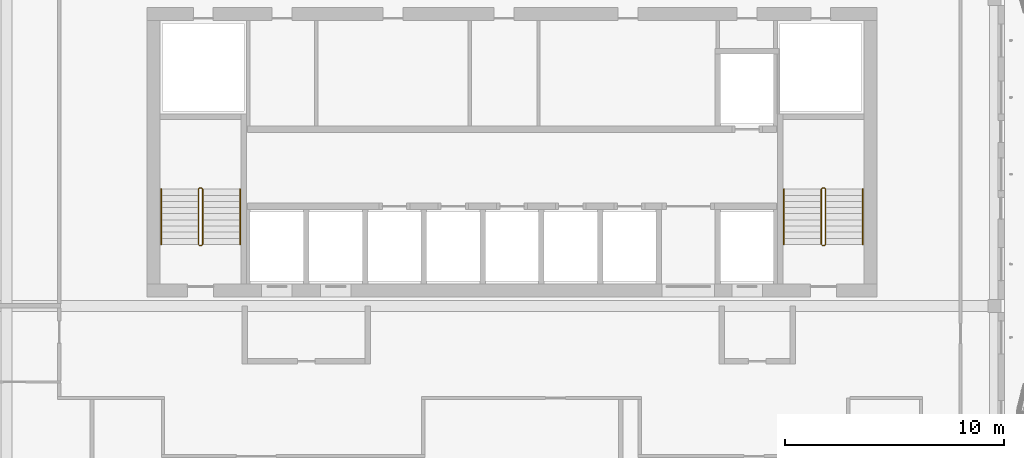
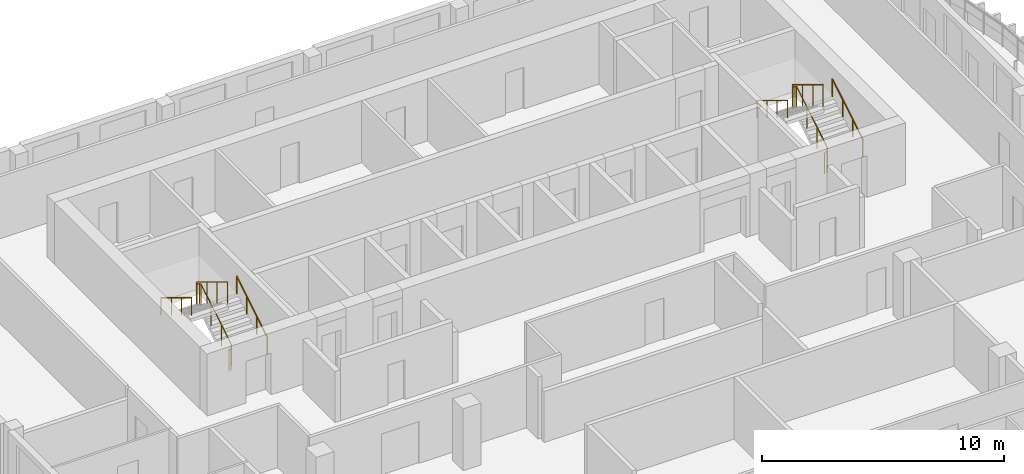
# One storey, part 16 of 17: 6 railings.
"""IFC4 building model written with IfcOpenShell, lengths in metres."""

import ifcopenshell
import ifcopenshell.guid

model = None  # the IFC model being written
_history = None  # IfcOwnerHistory: only IFC2X3 demands one
_inside = {}  # id of a spatial element -> (the spatial element, [elements in it])
_under = {}  # id of a project, library or spatial element -> (it, [spatial elements below it])
_declared = {}  # id of a project -> (the project, [libraries it declares])
_typed = {}  # id of a type object -> (the type object, [elements of that type])
_made_of = {}  # id of a material, layer set ... -> (it, [elements and type objects made of it])


def new_model(schema):
    """Start an empty IFC model of exactly this schema.

    Asked for "IFC4X3", IfcOpenShell would pick the latest addendum, in which some entities
    have other attributes; the version numbers below select the first issue.
    IFC2X3 requires an IfcOwnerHistory on every rooted entity: one is made here for all.
    """
    global model, _history
    if schema == "IFC4X3":
        model = ifcopenshell.file(schema_version=(4, 3, 0, 0))
    else:
        model = ifcopenshell.file(schema=schema)
    _inside.clear()
    _under.clear()
    _declared.clear()
    _typed.clear()
    _made_of.clear()
    _history = None
    if model.schema == "IFC2X3":
        org = make("IfcOrganization", Name="unknown")
        user = make(
            "IfcPersonAndOrganization",
            ThePerson=make("IfcPerson", FamilyName="unknown"),
            TheOrganization=org,
        )
        app = make(
            "IfcApplication",
            ApplicationDeveloper=org,
            Version="unknown",
            ApplicationFullName="unknown",
            ApplicationIdentifier="unknown",
        )
        _history = make(
            "IfcOwnerHistory",
            OwningUser=user,
            OwningApplication=app,
            ChangeAction="ADDED",
            CreationDate=0,
        )
    return model


def make(cls, **values):
    """One entity of the class cls with the attributes given. An attribute that is None is left unset."""
    return model.create_entity(
        cls, **{name: value for name, value in values.items() if value is not None}
    )


def rooted(cls, **values):
    """An entity with a GlobalId (a new one), such as an element, a storey or a relation."""
    return make(cls, GlobalId=ifcopenshell.guid.new(), OwnerHistory=_history, **values)


def si_unit(unit_type, name, prefix=None):
    """IfcSIUnit, for example si_unit("LENGTHUNIT", "METRE", prefix="MILLI")."""
    return make("IfcSIUnit", UnitType=unit_type, Prefix=prefix, Name=name)


def assignment(units):
    """IfcUnitAssignment: the units of a project."""
    return None if units is None else make("IfcUnitAssignment", Units=units)


def point(xyz):
    """IfcCartesianPoint."""
    return None if xyz is None else make("IfcCartesianPoint", Coordinates=xyz)


def direction(xyz):
    """IfcDirection."""
    return None if xyz is None else make("IfcDirection", DirectionRatios=xyz)


def frame(location, z_axis=None, x_axis=None):
    """IfcAxis2Placement3D, a coordinate frame: its origin and axes. An axis left out is left unset."""
    return make(
        "IfcAxis2Placement3D",
        Location=point(location),
        Axis=direction(z_axis),
        RefDirection=direction(x_axis),
    )


def frame_2d(location, x_axis=None):
    """IfcAxis2Placement2D, a coordinate frame in the plane: its origin and x axis."""
    return make(
        "IfcAxis2Placement2D", Location=point(location), RefDirection=direction(x_axis)
    )


def origin():
    """The frame at (0, 0, 0) with its axes left unset."""
    return frame((0.0, 0.0, 0.0))


def origin_2d():
    """The frame at (0, 0) in the plane with its x axis left unset."""
    return frame_2d((0.0, 0.0))


def place(relative_to, where):
    """IfcLocalPlacement: puts the frame where relative to a parent placement (None: the world)."""
    return make(
        "IfcLocalPlacement", PlacementRelTo=relative_to, RelativePlacement=where
    )


def context(
    kind, dimensions, precision=None, world=None, true_north=None, identifier=None
):
    """IfcGeometricRepresentationContext, for example the 3D "Model" context."""
    return make(
        "IfcGeometricRepresentationContext",
        ContextIdentifier=identifier,
        ContextType=kind,
        CoordinateSpaceDimension=dimensions,
        Precision=precision,
        WorldCoordinateSystem=world,
        TrueNorth=true_north,
    )


def subcontext(parent, identifier, kind, view, scale=None):
    """IfcGeometricRepresentationSubContext, for example "Body" below "Model"."""
    return make(
        "IfcGeometricRepresentationSubContext",
        ContextIdentifier=identifier,
        ContextType=kind,
        ParentContext=parent,
        TargetScale=scale,
        TargetView=view,
    )


def project(units=None, contexts=None):
    """IfcProject with its units and contexts."""
    return rooted(
        "IfcProject",
        Name="project",
        RepresentationContexts=contexts,
        UnitsInContext=assignment(units),
    )


def spatial(cls, under=None, at=None, **own):
    """A site, building, storey or space (cls), placed at a placement, below another one or the project."""
    s = rooted(cls, ObjectPlacement=at, **own)
    if under is not None:
        _under.setdefault(under.id(), (under, []))[1].append(s)
    return s


def profile(cls, at=None, kind="AREA", **sizes):
    """A parametric profile (cls). Its sizes go by their IFC names, for example OverallWidth=200.0."""
    return make(cls, ProfileType=kind, Position=at, **sizes)


def circle(**sizes):
    """IfcCircleProfileDef."""
    return profile("IfcCircleProfileDef", **sizes)


def extrude(swept, where, along, depth):
    """IfcExtrudedAreaSolid: the profile swept, set in the frame where, extruded along a direction by depth."""
    return make(
        "IfcExtrudedAreaSolid",
        SweptArea=swept,
        Position=where,
        ExtrudedDirection=direction(along),
        Depth=depth,
    )


def shape(context_of_items, identifier, shape_type, items):
    """IfcShapeRepresentation: the items that make up one representation, for example the "Body"."""
    return make(
        "IfcShapeRepresentation",
        ContextOfItems=context_of_items,
        RepresentationIdentifier=identifier,
        RepresentationType=shape_type,
        Items=items,
    )


def material(Name=None, Category=None):
    """IfcMaterial."""
    return make("IfcMaterial", Name=Name, Category=Category)


def made_of(thing, what):
    """Note that an element or type object is made of a material, layer set ...; save() writes the relation."""
    if what is not None:
        _made_of.setdefault(what.id(), (what, []))[1].append(thing)
    return thing


def type_object(cls, material=None, **own):
    """A type object (cls), such as IfcWallType, which elements share."""
    return made_of(rooted(cls, **own), material)


def element(
    cls,
    number,
    at=None,
    inside=None,
    cuts=None,
    type_object=None,
    material=None,
    context=None,
    identifier="Body",
    shape_type=None,
    held_by="IfcProductDefinitionShape",
    body=None,
    shapes=None,
    **own,
):
    """One element of the class cls, such as IfcWall. Its Tag is "e" and its number.

    at: its placement. inside: the storey or other place that contains it. cuts: it is an
    opening in that element (IfcRelVoidsElement). A single representation is given by context,
    identifier, shape_type and body (its items); several are given by shapes. held_by: the class
    of the entity that holds the representations. save() writes the other relations.
    """
    e = rooted(cls, Tag="e%d" % number, ObjectPlacement=at, **own)
    if body is not None:
        shapes = [shape(context, identifier, shape_type, body)]
    if shapes is not None:
        e.Representation = make(held_by, Representations=shapes)
    if inside is not None:
        _inside.setdefault(inside.id(), (inside, []))[1].append(e)
    if cuts is not None:
        rooted(
            "IfcRelVoidsElement", RelatingBuildingElement=cuts, RelatedOpeningElement=e
        )
    if type_object is not None:
        _typed.setdefault(type_object.id(), (type_object, []))[1].append(e)
    return made_of(e, material)


def aggregate(whole, parts):
    """IfcRelAggregates: a whole, such as a stair, and the parts it consists of."""
    return rooted("IfcRelAggregates", RelatingObject=whole, RelatedObjects=parts)


def save(model, path):
    """Write the relations noted so far, then the file.

    IfcRelAggregates (storeys below a building ...), IfcRelContainedInSpatialStructure (elements
    in a storey), IfcRelDefinesByType, IfcRelAssociatesMaterial and IfcRelDeclares: one each for
    every whole, place, type object, material and project.
    """
    for whole, parts in _under.values():
        aggregate(whole, parts)
    for where, things in _inside.values():
        rooted(
            "IfcRelContainedInSpatialStructure",
            RelatedElements=things,
            RelatingStructure=where,
        )
    for kind, things in _typed.values():
        rooted("IfcRelDefinesByType", RelatedObjects=things, RelatingType=kind)
    for what, things in _made_of.values():
        rooted("IfcRelAssociatesMaterial", RelatedObjects=things, RelatingMaterial=what)
    for by, libraries in _declared.values():
        rooted("IfcRelDeclares", RelatingContext=by, RelatedDefinitions=libraries)
    model.write(path)


model = new_model("IFC4")

# Units and contexts
model_context = context("Model", 3, precision=1e-05, world=origin(), true_north=direction((0.0, 1.0)))
body_context = subcontext(model_context, "Body", "Model", "MODEL_VIEW")
ifc_project = project(units=[si_unit("LENGTHUNIT", "METRE"), si_unit("AREAUNIT", "SQUARE_METRE"), si_unit("VOLUMEUNIT", "CUBIC_METRE"), si_unit("PLANEANGLEUNIT", "RADIAN"), si_unit("MASSUNIT", "GRAM", prefix="KILO")], contexts=[model_context])

# Site, building, storey
site_placement = place(None, origin())
site = spatial("IfcSite", under=ifc_project, at=site_placement, CompositionType="ELEMENT")
building_placement = place(site_placement, origin())
building = spatial("IfcBuilding", under=site, at=building_placement, Name="Kilnfold Tower and Market Hall", CompositionType="ELEMENT")
storey_placement = place(building_placement, frame((0.0, 0.0, 298.39990234375)))
storey = spatial("IfcBuildingStorey", under=building, at=storey_placement, Name="L74", CompositionType="ELEMENT", Elevation=298.39990234375)

# Railings
ifc_material_1 = material(Name="Stainless steel 316", Category="steel")
railing_type_1 = type_object("IfcRailingType", Name="CORE STAIR GUARD 1100", PredefinedType="GUARDRAIL", material=ifc_material_1)
railing_1_placement = place(storey_placement, frame((-13.199951171875, 10.75, 0.0)))
element("IfcRailing", 1, at=railing_1_placement, inside=storey, type_object=railing_type_1, Name="L74 ST1 stair guard 1", PredefinedType="GUARDRAIL", context=body_context, shape_type="SweptSolid", body=[
    extrude(circle(Radius=0.02392578125, at=origin_2d()), frame((0.0, 0.0, 1.076171875), z_axis=(1.0, 0.0, 0.0), x_axis=(0.0, 1.0, 0.0)), (0.0, 0.0, 1.0), 0.099853515625),
    extrude(circle(Radius=0.02392578125, at=origin_2d()), frame((0.099853515625, 0.0, 1.076171875), z_axis=(0.271562723297, 0.271562723297, 0.923313259209), x_axis=(-0.707106781187, 0.707106781187, 0.0)), (0.0, 0.0, 1.0), 0.184326171875),
    extrude(circle(Radius=0.02392578125, at=origin_2d()), frame((0.14990234375, 0.050048828125, 1.24609375), z_axis=(0.0, 0.85478489116, 0.518982456201), x_axis=(-1.0, 0.0, 0.0)), (0.0, 0.0, 1.0), 2.9482421875),
    extrude(circle(Radius=0.02392578125, at=origin_2d()), frame((0.14990234375, 2.570068359375, 2.7763671875), z_axis=(-0.707106781187, 0.707106781187, 0.0), x_axis=(-0.707106781187, -0.707106781187, 0.0)), (0.0, 0.0, 1.0), 0.07080078125),
    extrude(circle(Radius=0.02392578125, at=origin_2d()), frame((0.099853515625, 2.6201171875, 2.7763671875), z_axis=(-1.0, 0.0, 0.0), x_axis=(0.0, -1.0, 0.0)), (0.0, 0.0, 1.0), 0.099853515625),
    extrude(circle(Radius=0.02392578125, at=origin_2d()), frame((0.0, 2.6201171875, 2.7763671875), z_axis=(-0.271895245746, -0.271895245746, 0.923117517265), x_axis=(0.707106781187, -0.707106781187, 0.0)), (0.0, 0.0, 1.0), 0.18408203125),
    extrude(circle(Radius=0.02392578125, at=origin_2d()), frame((-0.050048828125, 2.570068359375, 2.9462890625), z_axis=(0.0, -0.85478489116, 0.518982456201), x_axis=(1.0, 0.0, 0.0)), (0.0, 0.0, 1.0), 2.9482421875),
    extrude(circle(Radius=0.02099609375, at=origin_2d()), origin(), (0.0, 0.0, 1.0), 1.052001953125),
    extrude(circle(Radius=0.02099609375, at=origin_2d()), frame((0.099853515625, 0.0, 0.0)), (0.0, 0.0, 1.0), 1.052001953125),
    extrude(circle(Radius=0.02099609375, at=origin_2d()), frame((0.14990234375, 0.050048828125, 0.170166015625)), (0.0, 0.0, 1.0), 1.052001953125),
    extrude(circle(Radius=0.02099609375, at=origin_2d()), frame((0.14990234375, 0.89013671875, 0.68017578125)), (0.0, 0.0, 1.0), 1.052001953125),
    extrude(circle(Radius=0.02099609375, at=origin_2d()), frame((0.14990234375, 1.72998046875, 1.190185546875)), (0.0, 0.0, 1.0), 1.052001953125),
    extrude(circle(Radius=0.02099609375, at=origin_2d()), frame((0.14990234375, 2.570068359375, 1.7001953125)), (0.0, 0.0, 1.0), 1.052001953125),
    extrude(circle(Radius=0.02099609375, at=origin_2d()), frame((0.099853515625, 2.6201171875, 1.7001953125)), (0.0, 0.0, 1.0), 1.052001953125),
    extrude(circle(Radius=0.02099609375, at=origin_2d()), frame((0.0, 2.6201171875, 1.7001953125)), (0.0, 0.0, 1.0), 1.052001953125),
    extrude(circle(Radius=0.02099609375, at=origin_2d()), frame((-0.050048828125, 2.570068359375, 1.8701171875)), (0.0, 0.0, 1.0), 1.052001953125),
    extrude(circle(Radius=0.02099609375, at=origin_2d()), frame((-0.050048828125, 1.72998046875, 2.380126953125)), (0.0, 0.0, 1.0), 1.052001953125),
    extrude(circle(Radius=0.02099609375, at=origin_2d()), frame((-0.050048828125, 0.89013671875, 2.89013671875)), (0.0, 0.0, 1.0), 1.052001953125),
    extrude(circle(Radius=0.02099609375, at=origin_2d()), frame((-0.050048828125, 0.050048828125, 3.400146484375)), (0.0, 0.0, 1.0), 1.052001953125),
])
railing_2_placement = place(storey_placement, frame((15.199951171875, 10.75, 0.0)))
element("IfcRailing", 2, at=railing_2_placement, inside=storey, type_object=railing_type_1, Name="L74 ST2 stair guard 1", PredefinedType="GUARDRAIL", context=body_context, shape_type="SweptSolid", body=[
    extrude(circle(Radius=0.02392578125, at=origin_2d()), frame((0.0, 0.0, 1.076171875), z_axis=(1.0, 0.0, 0.0), x_axis=(0.0, 1.0, 0.0)), (0.0, 0.0, 1.0), 0.10009765625),
    extrude(circle(Radius=0.02392578125, at=origin_2d()), frame((0.10009765625, 0.0, 1.076171875), z_axis=(0.271562723297, 0.271562723297, 0.923313259209), x_axis=(-0.707106781187, 0.707106781187, 0.0)), (0.0, 0.0, 1.0), 0.184326171875),
    extrude(circle(Radius=0.02392578125, at=origin_2d()), frame((0.150146484375, 0.050048828125, 1.24609375), z_axis=(0.0, 0.85478489116, 0.518982456201), x_axis=(-1.0, 0.0, 0.0)), (0.0, 0.0, 1.0), 2.9482421875),
    extrude(circle(Radius=0.02392578125, at=origin_2d()), frame((0.150146484375, 2.570068359375, 2.7763671875), z_axis=(-0.707106781187, 0.707106781187, 0.0), x_axis=(-0.707106781187, -0.707106781187, 0.0)), (0.0, 0.0, 1.0), 0.07080078125),
    extrude(circle(Radius=0.02392578125, at=origin_2d()), frame((0.10009765625, 2.6201171875, 2.7763671875), z_axis=(-1.0, 0.0, 0.0), x_axis=(0.0, -1.0, 0.0)), (0.0, 0.0, 1.0), 0.10009765625),
    extrude(circle(Radius=0.02392578125, at=origin_2d()), frame((0.0, 2.6201171875, 2.7763671875), z_axis=(-0.271895245746, -0.271895245746, 0.923117517265), x_axis=(0.707106781187, -0.707106781187, 0.0)), (0.0, 0.0, 1.0), 0.18408203125),
    extrude(circle(Radius=0.02392578125, at=origin_2d()), frame((-0.050048828125, 2.570068359375, 2.9462890625), z_axis=(0.0, -0.85478489116, 0.518982456201), x_axis=(1.0, 0.0, 0.0)), (0.0, 0.0, 1.0), 2.9482421875),
    extrude(circle(Radius=0.02099609375, at=origin_2d()), origin(), (0.0, 0.0, 1.0), 1.052001953125),
    extrude(circle(Radius=0.02099609375, at=origin_2d()), frame((0.10009765625, 0.0, 0.0)), (0.0, 0.0, 1.0), 1.052001953125),
    extrude(circle(Radius=0.02099609375, at=origin_2d()), frame((0.150146484375, 0.050048828125, 0.170166015625)), (0.0, 0.0, 1.0), 1.052001953125),
    extrude(circle(Radius=0.02099609375, at=origin_2d()), frame((0.150146484375, 0.89013671875, 0.68017578125)), (0.0, 0.0, 1.0), 1.052001953125),
    extrude(circle(Radius=0.02099609375, at=origin_2d()), frame((0.150146484375, 1.72998046875, 1.190185546875)), (0.0, 0.0, 1.0), 1.052001953125),
    extrude(circle(Radius=0.02099609375, at=origin_2d()), frame((0.150146484375, 2.570068359375, 1.7001953125)), (0.0, 0.0, 1.0), 1.052001953125),
    extrude(circle(Radius=0.02099609375, at=origin_2d()), frame((0.10009765625, 2.6201171875, 1.7001953125)), (0.0, 0.0, 1.0), 1.052001953125),
    extrude(circle(Radius=0.02099609375, at=origin_2d()), frame((0.0, 2.6201171875, 1.7001953125)), (0.0, 0.0, 1.0), 1.052001953125),
    extrude(circle(Radius=0.02099609375, at=origin_2d()), frame((-0.050048828125, 2.570068359375, 1.8701171875)), (0.0, 0.0, 1.0), 1.052001953125),
    extrude(circle(Radius=0.02099609375, at=origin_2d()), frame((-0.050048828125, 1.72998046875, 2.380126953125)), (0.0, 0.0, 1.0), 1.052001953125),
    extrude(circle(Radius=0.02099609375, at=origin_2d()), frame((-0.050048828125, 0.89013671875, 2.89013671875)), (0.0, 0.0, 1.0), 1.052001953125),
    extrude(circle(Radius=0.02099609375, at=origin_2d()), frame((-0.050048828125, 0.050048828125, 3.400146484375)), (0.0, 0.0, 1.0), 1.052001953125),
])
ifc_material_2 = material(Name="Stainless steel 316", Category="steel")
railing_type_2 = type_object("IfcRailingType", Name="CORE STAIR HANDRAIL 900", PredefinedType="HANDRAIL", material=ifc_material_2)
railing_3_placement = place(storey_placement, frame((-11.35009765625, 10.800048828125, 0.170166015625)))
element("IfcRailing", 3, at=railing_3_placement, inside=storey, type_object=railing_type_2, Name="L74 ST1 stair handrail 1", PredefinedType="HANDRAIL", context=body_context, shape_type="SweptSolid", body=[
    extrude(circle(Radius=0.02392578125, at=origin_2d()), frame((0.0, 0.0, 0.8759765625), z_axis=(0.0, 0.85478489116, 0.518982456201), x_axis=(-1.0, 0.0, 0.0)), (0.0, 0.0, 1.0), 2.9482421875),
    extrude(circle(Radius=0.02099609375, at=origin_2d()), origin(), (0.0, 0.0, 1.0), 0.851806640625),
    extrude(circle(Radius=0.02099609375, at=origin_2d()), frame((0.0, 0.840087890625, 0.510009765625)), (0.0, 0.0, 1.0), 0.851806640625),
    extrude(circle(Radius=0.02099609375, at=origin_2d()), frame((0.0, 1.679931640625, 1.02001953125)), (0.0, 0.0, 1.0), 0.851806640625),
    extrude(circle(Radius=0.02099609375, at=origin_2d()), frame((0.0, 2.52001953125, 1.530029296875)), (0.0, 0.0, 1.0), 0.851806640625),
])
railing_4_placement = place(storey_placement, frame((-14.949951171875, 13.320068359375, 1.8701171875)))
element("IfcRailing", 4, at=railing_4_placement, inside=storey, type_object=railing_type_2, Name="L74 ST1 stair handrail 2", PredefinedType="HANDRAIL", context=body_context, shape_type="SweptSolid", body=[
    extrude(circle(Radius=0.02392578125, at=origin_2d()), frame((0.0, 0.0, 0.8759765625), z_axis=(0.0, -0.85478489116, 0.518982456201), x_axis=(1.0, 0.0, 0.0)), (0.0, 0.0, 1.0), 2.9482421875),
    extrude(circle(Radius=0.02099609375, at=origin_2d()), origin(), (0.0, 0.0, 1.0), 0.851806640625),
    extrude(circle(Radius=0.02099609375, at=origin_2d()), frame((0.0, -0.840087890625, 0.510009765625)), (0.0, 0.0, 1.0), 0.851806640625),
    extrude(circle(Radius=0.02099609375, at=origin_2d()), frame((0.0, -1.679931640625, 1.02001953125)), (0.0, 0.0, 1.0), 0.851806640625),
    extrude(circle(Radius=0.02099609375, at=origin_2d()), frame((0.0, -2.52001953125, 1.530029296875)), (0.0, 0.0, 1.0), 0.851806640625),
])
railing_5_placement = place(storey_placement, frame((17.050048828125, 10.800048828125, 0.170166015625)))
element("IfcRailing", 5, at=railing_5_placement, inside=storey, type_object=railing_type_2, Name="L74 ST2 stair handrail 1", PredefinedType="HANDRAIL", context=body_context, shape_type="SweptSolid", body=[
    extrude(circle(Radius=0.02392578125, at=origin_2d()), frame((0.0, 0.0, 0.8759765625), z_axis=(0.0, 0.85478489116, 0.518982456201), x_axis=(-1.0, 0.0, 0.0)), (0.0, 0.0, 1.0), 2.9482421875),
    extrude(circle(Radius=0.02099609375, at=origin_2d()), origin(), (0.0, 0.0, 1.0), 0.851806640625),
    extrude(circle(Radius=0.02099609375, at=origin_2d()), frame((0.0, 0.840087890625, 0.510009765625)), (0.0, 0.0, 1.0), 0.851806640625),
    extrude(circle(Radius=0.02099609375, at=origin_2d()), frame((0.0, 1.679931640625, 1.02001953125)), (0.0, 0.0, 1.0), 0.851806640625),
    extrude(circle(Radius=0.02099609375, at=origin_2d()), frame((0.0, 2.52001953125, 1.530029296875)), (0.0, 0.0, 1.0), 0.851806640625),
])
railing_6_placement = place(storey_placement, frame((13.449951171875, 13.320068359375, 1.8701171875)))
element("IfcRailing", 6, at=railing_6_placement, inside=storey, type_object=railing_type_2, Name="L74 ST2 stair handrail 2", PredefinedType="HANDRAIL", context=body_context, shape_type="SweptSolid", body=[
    extrude(circle(Radius=0.02392578125, at=origin_2d()), frame((0.0, 0.0, 0.8759765625), z_axis=(0.0, -0.85478489116, 0.518982456201), x_axis=(1.0, 0.0, 0.0)), (0.0, 0.0, 1.0), 2.9482421875),
    extrude(circle(Radius=0.02099609375, at=origin_2d()), origin(), (0.0, 0.0, 1.0), 0.851806640625),
    extrude(circle(Radius=0.02099609375, at=origin_2d()), frame((0.0, -0.840087890625, 0.510009765625)), (0.0, 0.0, 1.0), 0.851806640625),
    extrude(circle(Radius=0.02099609375, at=origin_2d()), frame((0.0, -1.679931640625, 1.02001953125)), (0.0, 0.0, 1.0), 0.851806640625),
    extrude(circle(Radius=0.02099609375, at=origin_2d()), frame((0.0, -2.52001953125, 1.530029296875)), (0.0, 0.0, 1.0), 0.851806640625),
])

save(model, "model.ifc")
